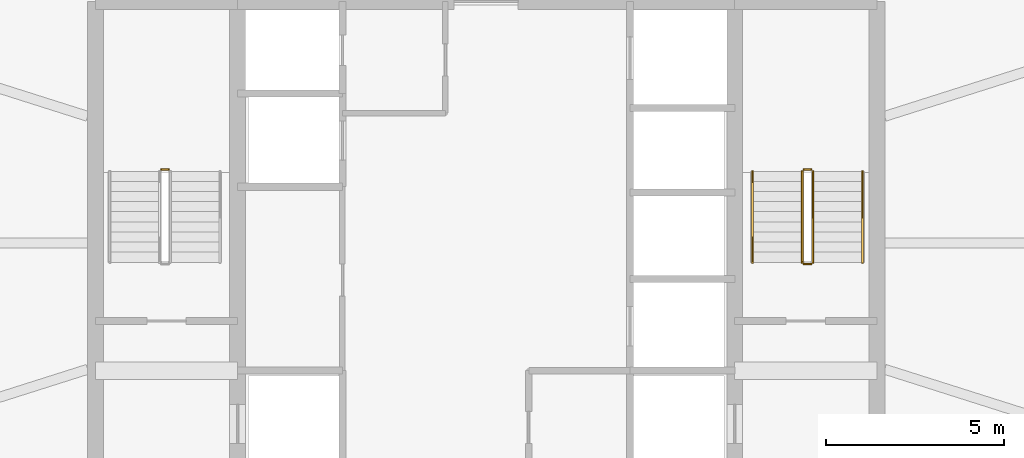
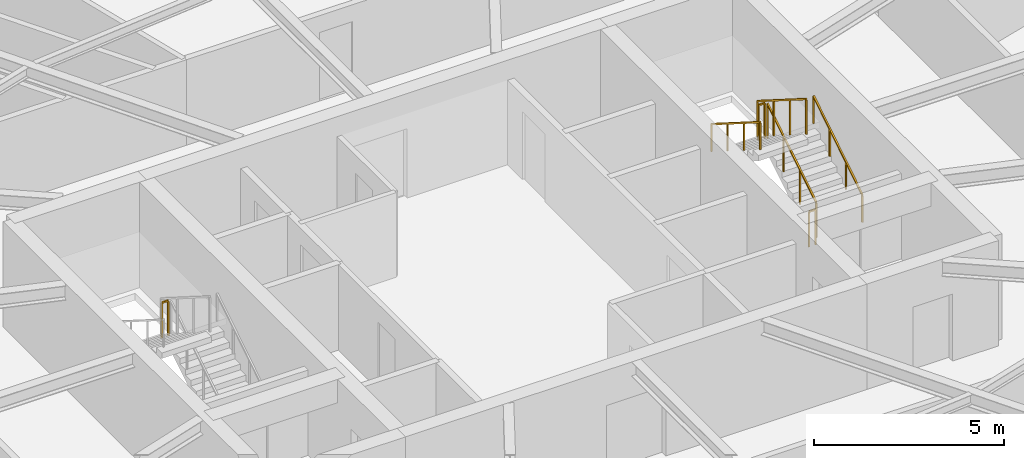
# One storey, part 27 of 27: 7 railings.
"""IFC4 building model written with IfcOpenShell, lengths in metres."""

from ifc_helpers import new_model, si_unit, direction, frame, origin, origin_2d, place, context, subcontext, project, spatial, rectangle, extrude, material, type_object, element, save


model = new_model("IFC4")

# Units and contexts
model_context = context("Model", 3, precision=1e-05, world=origin(), true_north=direction((0.0, 1.0)))
body_context = subcontext(model_context, "Body", "Model", "MODEL_VIEW")
ifc_project = project(units=[si_unit("LENGTHUNIT", "METRE"), si_unit("AREAUNIT", "SQUARE_METRE"), si_unit("VOLUMEUNIT", "CUBIC_METRE"), si_unit("PLANEANGLEUNIT", "RADIAN"), si_unit("MASSUNIT", "GRAM", prefix="KILO")], contexts=[model_context])

# Site, building, storey
site_placement = place(None, origin())
site = spatial("IfcSite", under=ifc_project, at=site_placement, CompositionType="ELEMENT")
building_placement = place(site_placement, origin())
building = spatial("IfcBuilding", under=site, at=building_placement, Name="Sarneth Arch Tower", CompositionType="ELEMENT")
storey_placement = place(building_placement, frame((0.0, 0.0, 186.60009765625)))
storey = spatial("IfcBuildingStorey", under=building, at=storey_placement, Name="L47", CompositionType="ELEMENT", Elevation=186.60009765625)

# Railings
ifc_material_1 = material(Name="Brushed Stainless Steel 304 tubular handrail", Category="steel")
railing_type_1 = type_object("IfcRailingType", Name="RAIL-HANDRAIL-900", PredefinedType="HANDRAIL", material=ifc_material_1)
railing_1_placement = place(storey_placement, frame((58.60009765625, 41.449951171875, 0.179931640625)))
element("IfcRailing", 1, at=railing_1_placement, inside=storey, type_object=railing_type_1, Name="L47 ST-2 stair handrail 1", PredefinedType="HANDRAIL", context=body_context, shape_type="SweptSolid", body=[
    extrude(rectangle(XDim=0.048095703125, YDim=0.048095703125, at=origin_2d()), frame((0.0, 0.0, 0.8759765625), z_axis=(0.0, 0.845502289212, 0.533971796014), x_axis=(-1.0, 0.0, 0.0)), (0.0, 0.0, 1.0), 3.03369140625),
    extrude(rectangle(XDim=0.0419921875, YDim=0.0419921875, at=origin_2d()), origin(), (0.0, 0.0, 1.0), 0.851806640625),
    extrude(rectangle(XDim=0.0419921875, YDim=0.0419921875, at=origin_2d()), frame((0.0, 0.85498046875, 0.5400390625)), (0.0, 0.0, 1.0), 0.851806640625),
    extrude(rectangle(XDim=0.0419921875, YDim=0.0419921875, at=origin_2d()), frame((0.0, 1.7099609375, 1.079833984375)), (0.0, 0.0, 1.0), 0.851806640625),
    extrude(rectangle(XDim=0.0419921875, YDim=0.0419921875, at=origin_2d()), frame((0.0, 2.56494140625, 1.619873046875)), (0.0, 0.0, 1.0), 0.851806640625),
])
railing_2_placement = place(storey_placement, frame((55.5, 44.014892578125, 1.97998046875)))
element("IfcRailing", 2, at=railing_2_placement, inside=storey, type_object=railing_type_1, Name="L47 ST-2 stair handrail 2", PredefinedType="HANDRAIL", context=body_context, shape_type="SweptSolid", body=[
    extrude(rectangle(XDim=0.048095703125, YDim=0.048095703125, at=origin_2d()), frame((0.0, 0.0, 0.8759765625), z_axis=(0.0, -0.845502289212, 0.533971796014), x_axis=(1.0, 0.0, 0.0)), (0.0, 0.0, 1.0), 3.03369140625),
    extrude(rectangle(XDim=0.0419921875, YDim=0.0419921875, at=origin_2d()), origin(), (0.0, 0.0, 1.0), 0.851806640625),
    extrude(rectangle(XDim=0.0419921875, YDim=0.0419921875, at=origin_2d()), frame((0.0, -0.85498046875, 0.5400390625)), (0.0, 0.0, 1.0), 0.851806640625),
    extrude(rectangle(XDim=0.0419921875, YDim=0.0419921875, at=origin_2d()), frame((0.0, -1.7099609375, 1.079833984375)), (0.0, 0.0, 1.0), 0.851806640625),
    extrude(rectangle(XDim=0.0419921875, YDim=0.0419921875, at=origin_2d()), frame((0.0, -2.56494140625, 1.619873046875)), (0.0, 0.0, 1.0), 0.851806640625),
])
ifc_material_2 = material(Name="Painted Steel S275 stair well guard", Category="steel")
railing_type_2 = type_object("IfcRailingType", Name="RAIL-STAIR-GUARD", PredefinedType="GUARDRAIL", material=ifc_material_2)
railing_3_placement = place(storey_placement, frame((39.050048828125, 44.06494140625, 1.7998046875)))
element("IfcRailing", 3, at=railing_3_placement, inside=storey, type_object=railing_type_2, Name="L47 ST-1 stair guard 2", PredefinedType="GUARDRAIL", context=body_context, shape_type="SweptSolid", body=[
    extrude(rectangle(XDim=0.048095703125, YDim=0.048095703125, at=origin_2d()), frame((0.0, 0.0, 1.1259765625), z_axis=(-1.0, 0.0, 0.0), x_axis=(0.0, -1.0, 0.0)), (0.0, 0.0, 1.0), 0.199951171875),
    extrude(rectangle(XDim=0.0419921875, YDim=0.0419921875, at=origin_2d()), origin(), (0.0, 0.0, 1.0), 1.101806640625),
    extrude(rectangle(XDim=0.0419921875, YDim=0.0419921875, at=origin_2d()), frame((-0.199951171875, 0.0, 0.0)), (0.0, 0.0, 1.0), 1.101806640625),
])
railing_4_placement = place(storey_placement, frame((57.199951171875, 41.449951171875, 0.179931640625)))
element("IfcRailing", 4, at=railing_4_placement, inside=storey, type_object=railing_type_2, Name="L47 ST-2 stair guard 1", PredefinedType="GUARDRAIL", context=body_context, shape_type="SweptSolid", body=[
    extrude(rectangle(XDim=0.048095703125, YDim=0.048095703125, at=origin_2d()), frame((0.0, 0.0, 1.1259765625), z_axis=(0.0, 0.845502289212, 0.533971796014), x_axis=(-1.0, 0.0, 0.0)), (0.0, 0.0, 1.0), 3.03369140625),
    extrude(rectangle(XDim=0.0419921875, YDim=0.0419921875, at=origin_2d()), origin(), (0.0, 0.0, 1.0), 1.101806640625),
    extrude(rectangle(XDim=0.0419921875, YDim=0.0419921875, at=origin_2d()), frame((0.0, 0.85498046875, 0.5400390625)), (0.0, 0.0, 1.0), 1.101806640625),
    extrude(rectangle(XDim=0.0419921875, YDim=0.0419921875, at=origin_2d()), frame((0.0, 1.7099609375, 1.079833984375)), (0.0, 0.0, 1.0), 1.101806640625),
    extrude(rectangle(XDim=0.0419921875, YDim=0.0419921875, at=origin_2d()), frame((0.0, 2.56494140625, 1.619873046875)), (0.0, 0.0, 1.0), 1.101806640625),
])
railing_5_placement = place(storey_placement, frame((57.14990234375, 44.06494140625, 1.7998046875)))
element("IfcRailing", 5, at=railing_5_placement, inside=storey, type_object=railing_type_2, Name="L47 ST-2 stair guard 2", PredefinedType="GUARDRAIL", context=body_context, shape_type="SweptSolid", body=[
    extrude(rectangle(XDim=0.048095703125, YDim=0.048095703125, at=origin_2d()), frame((0.0, 0.0, 1.1259765625), z_axis=(-1.0, 0.0, 0.0), x_axis=(0.0, -1.0, 0.0)), (0.0, 0.0, 1.0), 0.199951171875),
    extrude(rectangle(XDim=0.0419921875, YDim=0.0419921875, at=origin_2d()), origin(), (0.0, 0.0, 1.0), 1.101806640625),
    extrude(rectangle(XDim=0.0419921875, YDim=0.0419921875, at=origin_2d()), frame((-0.199951171875, 0.0, 0.0)), (0.0, 0.0, 1.0), 1.101806640625),
])
railing_6_placement = place(storey_placement, frame((56.89990234375, 44.014892578125, 1.97998046875)))
element("IfcRailing", 6, at=railing_6_placement, inside=storey, type_object=railing_type_2, Name="L47 ST-2 stair guard 3", PredefinedType="GUARDRAIL", context=body_context, shape_type="SweptSolid", body=[
    extrude(rectangle(XDim=0.048095703125, YDim=0.048095703125, at=origin_2d()), frame((0.0, 0.0, 1.1259765625), z_axis=(0.0, -0.845502289212, 0.533971796014), x_axis=(1.0, 0.0, 0.0)), (0.0, 0.0, 1.0), 3.03369140625),
    extrude(rectangle(XDim=0.0419921875, YDim=0.0419921875, at=origin_2d()), origin(), (0.0, 0.0, 1.0), 1.101806640625),
    extrude(rectangle(XDim=0.0419921875, YDim=0.0419921875, at=origin_2d()), frame((0.0, -0.85498046875, 0.5400390625)), (0.0, 0.0, 1.0), 1.101806640625),
    extrude(rectangle(XDim=0.0419921875, YDim=0.0419921875, at=origin_2d()), frame((0.0, -1.7099609375, 1.079833984375)), (0.0, 0.0, 1.0), 1.101806640625),
    extrude(rectangle(XDim=0.0419921875, YDim=0.0419921875, at=origin_2d()), frame((0.0, -2.56494140625, 1.619873046875)), (0.0, 0.0, 1.0), 1.101806640625),
])
railing_7_placement = place(storey_placement, frame((57.14990234375, 41.39990234375, 0.0)))
element("IfcRailing", 7, at=railing_7_placement, inside=storey, type_object=railing_type_2, Name="L47 ST-2 stair guard 4", PredefinedType="GUARDRAIL", context=body_context, shape_type="SweptSolid", body=[
    extrude(rectangle(XDim=0.048095703125, YDim=0.048095703125, at=origin_2d()), frame((0.0, 0.0, 1.1259765625), z_axis=(-1.0, 0.0, 0.0), x_axis=(0.0, -1.0, 0.0)), (0.0, 0.0, 1.0), 0.199951171875),
    extrude(rectangle(XDim=0.0419921875, YDim=0.0419921875, at=origin_2d()), origin(), (0.0, 0.0, 1.0), 1.101806640625),
    extrude(rectangle(XDim=0.0419921875, YDim=0.0419921875, at=origin_2d()), frame((-0.199951171875, 0.0, 0.0)), (0.0, 0.0, 1.0), 1.101806640625),
])

save(model, "model.ifc")
